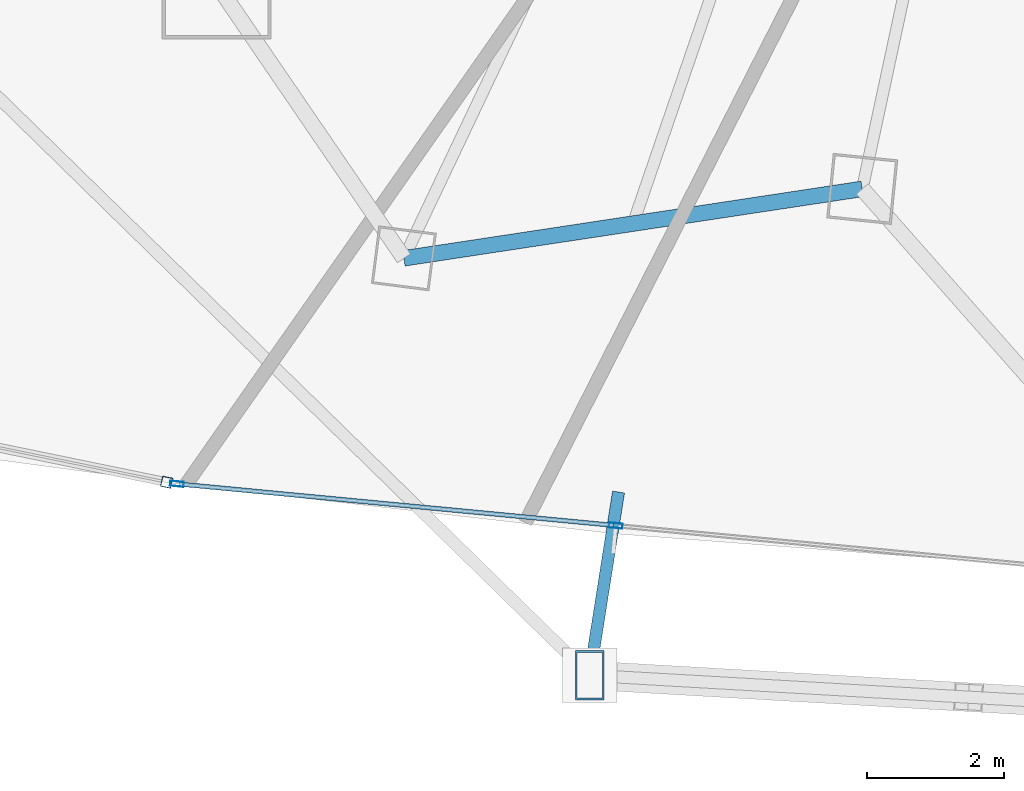
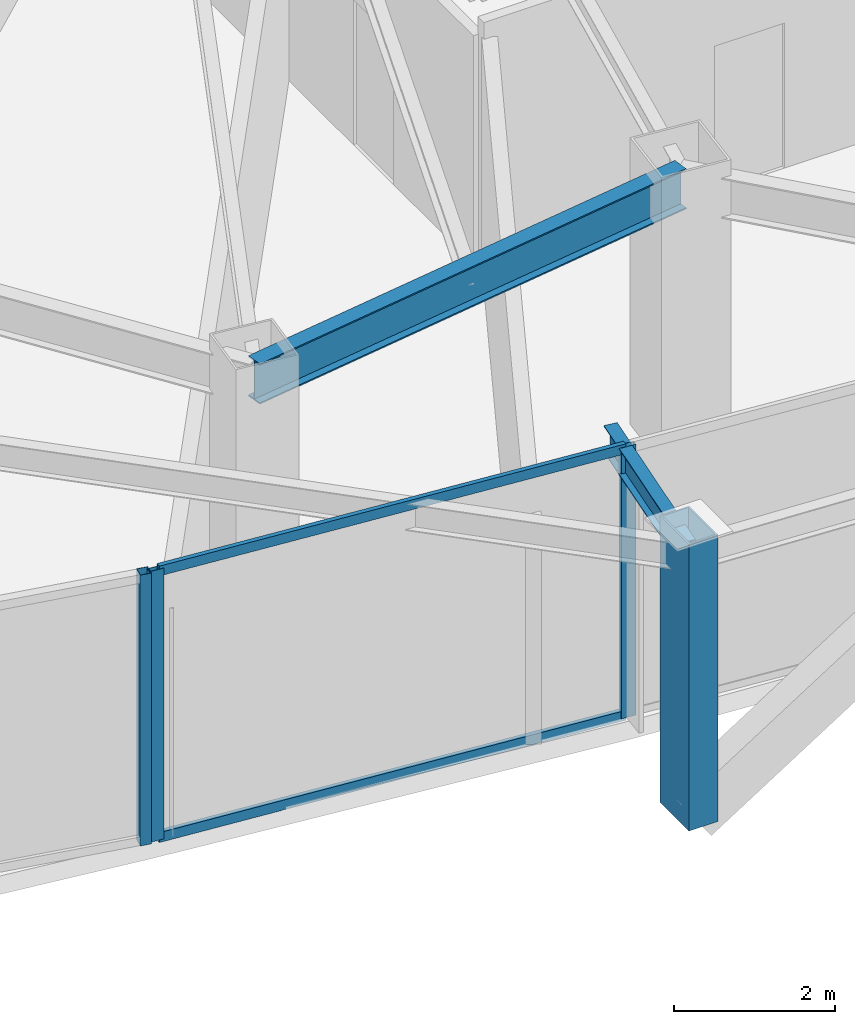
# One storey, part 4 of 33: 6 members, 2 beams, 2 elements without a shape of their own.
"""IFC4 building model written with IfcOpenShell, lengths in metres."""

from ifc_helpers import new_model, si_unit, direction, frame, origin, origin_2d, place, context, subcontext, project, spatial, hollow_rectangle, i_section, extrude, material, layer, layer_set, material_profile, profile_set, type_object, element, aggregate, save


model = new_model("IFC4")

# Units and contexts
model_context = context("Model", 3, precision=1e-05, world=origin(), true_north=direction((0.0, 1.0)))
body_context = subcontext(model_context, "Body", "Model", "MODEL_VIEW")
ifc_project = project(units=[si_unit("LENGTHUNIT", "METRE"), si_unit("AREAUNIT", "SQUARE_METRE"), si_unit("VOLUMEUNIT", "CUBIC_METRE"), si_unit("PLANEANGLEUNIT", "RADIAN"), si_unit("MASSUNIT", "GRAM", prefix="KILO")], contexts=[model_context])

# Site, building, storey
site_placement = place(None, origin())
site = spatial("IfcSite", under=ifc_project, at=site_placement, CompositionType="ELEMENT")
building_placement = place(site_placement, origin())
building = spatial("IfcBuilding", under=site, at=building_placement, Name="Orvanel Arch Residences", CompositionType="ELEMENT")
storey_placement = place(building_placement, frame((0.0, 0.0, 59.89990234375)))
storey = spatial("IfcBuildingStorey", under=building, at=storey_placement, Name="L16", CompositionType="ELEMENT", Elevation=59.89990234375)

# Member
ifc_material_1 = material(Name="Structural steel AS/NZS 3678 Grade 350", Category="steel")
ifc_material_profile_1 = material_profile(ifc_material_1, hollow_rectangle(XDim=0.419921875, YDim=0.719970703125, WallThickness=0.02490234375, at=origin_2d()), Name="RHS720x420x25")
ifc_profile_set_1 = profile_set([ifc_material_profile_1], Name="Structural steel AS/NZS 3678 Grade 350")
member_type_1 = type_object("IfcMemberType", Name="CH-720RHS-EXT", PredefinedType="CHORD", material=ifc_profile_set_1)
member_1_placement = place(storey_placement, frame((19.658935546875, 0.236083984375, 0.0), z_axis=(0.0, 0.0, 1.0), x_axis=(1.0, 0.0, 0.0)))
element("IfcMember", 1, at=member_1_placement, inside=storey, type_object=member_type_1, Name="L16 Outer Perimeter Frame Post 05", PredefinedType="CHORD", context=body_context, shape_type="SweptSolid", body=[
    extrude(hollow_rectangle(XDim=0.419921875, YDim=0.719970703125, WallThickness=0.02490234375, at=origin_2d()), origin(), (0.0, 0.0, 1.0), 4.35009765625),
])

# Curtain wall, member
ifc_material_2 = material(Name="Bronze-anodised aluminium AA6063-T6", Category="aluminium")
ifc_layer_1 = layer(ifc_material_2, 0.18994140625)
ifc_layer_set_1 = layer_set([ifc_layer_1], Name="Bronze-anodised aluminium AA6063-T6")
curtain_wall_type_1 = type_object("IfcCurtainWallType", Name="CW5-CRN-SYS", PredefinedType="NOTDEFINED", material=ifc_layer_set_1)
curtain_wall_1_placement = place(storey_placement, origin())
curtain_wall_1 = element("IfcCurtainWall", 2, at=curtain_wall_1_placement, inside=storey, type_object=curtain_wall_type_1, Name="L16 CW5-CRN-SYS Unitised Curtain Wall", PredefinedType="NOTDEFINED")
ifc_material_profile_2 = material_profile(ifc_material_2, hollow_rectangle(XDim=0.14990234375, YDim=0.14990234375, WallThickness=0.0048828125, at=origin_2d()), Name="ALU150x150x5")
ifc_profile_set_2 = profile_set([ifc_material_profile_2], Name="Bronze-anodised aluminium AA6063-T6")
member_type_2 = type_object("IfcMemberType", Name="MUL-150x150", PredefinedType="MULLION", material=ifc_profile_set_2)
member_2_placement = place(storey_placement, frame((13.468505859375, 3.06298828125, 0.0), z_axis=(0.0, 0.0, 1.0), x_axis=(0.201308345149, 0.9795279221, 0.0)))
member_2 = element("IfcMember", 3, at=member_2_placement, type_object=member_type_2, Name="CW-S5 mullion 3", PredefinedType="MULLION", context=body_context, shape_type="SweptSolid", body=[
    extrude(hollow_rectangle(XDim=0.14990234375, YDim=0.14990234375, WallThickness=0.0048828125, at=origin_2d()), origin(), (0.0, 0.0, 1.0), 4.110107421875),
])
aggregate(curtain_wall_1, [member_2])

# Curtain wall, members
ifc_layer_2 = layer(ifc_material_2, 0.195068359375)
ifc_layer_set_2 = layer_set([ifc_layer_2], Name="Bronze-anodised aluminium AA6063-T6")
curtain_wall_type_2 = type_object("IfcCurtainWallType", Name="CW6-COM-SYS", PredefinedType="NOTDEFINED", material=ifc_layer_set_2)
curtain_wall_2_placement = place(storey_placement, origin())
curtain_wall_2 = element("IfcCurtainWall", 4, at=curtain_wall_2_placement, inside=storey, type_object=curtain_wall_type_2, Name="L16 CW6-COM-SYS Unitised Curtain Wall", PredefinedType="NOTDEFINED")
ifc_material_profile_3 = material_profile(ifc_material_2, hollow_rectangle(XDim=0.074951171875, YDim=0.199951171875, WallThickness=0.0048828125, at=origin_2d()), Name="ALU200x75x5")
ifc_profile_set_3 = profile_set([ifc_material_profile_3], Name="Bronze-anodised aluminium AA6063-T6")
member_type_3 = type_object("IfcMemberType", Name="MUL-200x75", PredefinedType="MULLION", material=ifc_profile_set_3)
member_3_placement = place(storey_placement, frame((13.619384765625, 3.038330078125, 0.0), z_axis=(0.0, 0.0, 1.0), x_axis=(0.094627268719, 0.995512772402, 0.0)))
member_3 = element("IfcMember", 5, at=member_3_placement, type_object=member_type_3, Name="CW-S6 mullion 1", PredefinedType="MULLION", context=body_context, shape_type="SweptSolid", body=[
    extrude(hollow_rectangle(XDim=0.074951171875, YDim=0.199951171875, WallThickness=0.0048828125, at=origin_2d()), origin(), (0.0, 0.0, 1.0), 4.110107421875),
])
member_4_placement = place(storey_placement, frame((20.04150390625, 2.427978515625, 0.0), z_axis=(0.0, 0.0, 1.0), x_axis=(0.094627268719, 0.995512772402, 0.0)))
member_4 = element("IfcMember", 6, at=member_4_placement, type_object=member_type_3, Name="CW-S6 mullion 2", PredefinedType="MULLION", context=body_context, shape_type="SweptSolid", body=[
    extrude(hollow_rectangle(XDim=0.074951171875, YDim=0.199951171875, WallThickness=0.0048828125, at=origin_2d()), origin(), (0.0, 0.0, 1.0), 4.110107421875),
])

# Beams
ifc_material_3 = material(Name="Structural steel AS/NZS 3679.1 Grade 300 (300 MPa)", Category="steel")
ifc_material_profile_4 = material_profile(ifc_material_3, i_section(OverallWidth=0.177978515625, OverallDepth=0.406005859375, WebThickness=0.0078125, FlangeThickness=0.0126953125, at=origin_2d()), Name="410UB59.7")
ifc_profile_set_4 = profile_set([ifc_material_profile_4], Name="Structural steel AS/NZS 3679.1 Grade 300 (300 MPa)")
beam_type_1 = type_object("IfcBeamType", Name="OB-410UB-EXT", PredefinedType="SPANDREL", material=ifc_profile_set_4)
beam_1_placement = place(storey_placement, frame((20.08203125, 2.9189453125, 3.906982421875), z_axis=(-0.155777933532, -0.987792101317, 0.0), x_axis=(0.987792101317, -0.155777933532, 0.0)))
element("IfcBeam", 7, at=beam_1_placement, inside=storey, type_object=beam_type_1, Name="L16 Outer Frame Radial Tie Beam 05", PredefinedType="SPANDREL", context=body_context, shape_type="SweptSolid", body=[
    extrude(i_section(OverallWidth=0.177978515625, OverallDepth=0.406005859375, WebThickness=0.0078125, FlangeThickness=0.0126953125, at=origin_2d()), origin(), (0.0, 0.0, 1.0), 2.716064453125),
])
ifc_material_profile_5 = material_profile(ifc_material_3, i_section(OverallWidth=0.22900390625, OverallDepth=0.612060546875, WebThickness=0.011962890625, FlangeThickness=0.01953125, at=origin_2d()), Name="610UB125")
ifc_profile_set_5 = profile_set([ifc_material_profile_5], Name="Structural steel AS/NZS 3679.1 Grade 300 (300 MPa)")
beam_type_2 = type_object("IfcBeamType", Name="SP-610UB", PredefinedType="SPANDREL", material=ifc_profile_set_5)
beam_2_placement = place(storey_placement, frame((16.94091796875, 6.339111328125, 3.80419921875), z_axis=(0.988726323014, 0.149733958002, 0.0), x_axis=(-0.149733958002, 0.988726323014, 0.0)))
element("IfcBeam", 8, at=beam_2_placement, inside=storey, type_object=beam_type_2, Name="L16 Perimeter Spandrel Beam 04", PredefinedType="SPANDREL", context=body_context, shape_type="SweptSolid", body=[
    extrude(i_section(OverallWidth=0.22900390625, OverallDepth=0.612060546875, WebThickness=0.011962890625, FlangeThickness=0.01953125, at=origin_2d()), origin(), (0.0, 0.0, 1.0), 6.784423828125),
])

# Member
ifc_material_profile_6 = material_profile(ifc_material_2, hollow_rectangle(XDim=0.06494140625, YDim=0.14990234375, WallThickness=0.00390625, at=origin_2d()), Name="ALU150x65x4")
ifc_profile_set_6 = profile_set([ifc_material_profile_6], Name="Bronze-anodised aluminium AA6063-T6")
member_type_4 = type_object("IfcMemberType", Name="TRN-150x65", PredefinedType="USERDEFINED", material=ifc_profile_set_6)
member_5_placement = place(storey_placement, frame((13.65673828125, 3.034912109375, 0.03271484375), z_axis=(0.995513867661, -0.09461574549, 0.0), x_axis=(0.09461574549, 0.995513867661, 0.0)))
member_5 = element("IfcMember", 9, at=member_5_placement, type_object=member_type_4, Name="CW-S6 transom 1.1", ObjectType="TRANSOM", PredefinedType="USERDEFINED", context=body_context, shape_type="SweptSolid", body=[
    extrude(hollow_rectangle(XDim=0.06494140625, YDim=0.14990234375, WallThickness=0.00390625, at=origin_2d()), origin(), (0.0, 0.0, 1.0), 6.3759765625),
])

member_6_placement = place(storey_placement, frame((13.65673828125, 3.034912109375, 4.07763671875), z_axis=(0.995513867661, -0.09461574549, 0.0), x_axis=(0.09461574549, 0.995513867661, 0.0)))
member_6 = element("IfcMember", 10, at=member_6_placement, type_object=member_type_4, Name="CW-S6 transom 1.2", ObjectType="TRANSOM", PredefinedType="USERDEFINED", context=body_context, shape_type="SweptSolid", body=[
    extrude(hollow_rectangle(XDim=0.06494140625, YDim=0.14990234375, WallThickness=0.00390625, at=origin_2d()), origin(), (0.0, 0.0, 1.0), 6.3759765625),
])

aggregate(curtain_wall_2, [member_3, member_4, member_5, member_6])

save(model, "model.ifc")
